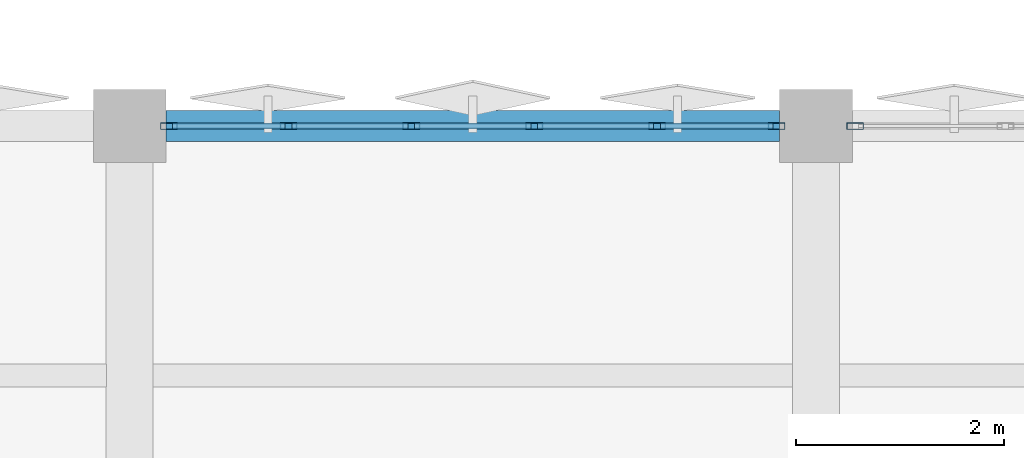
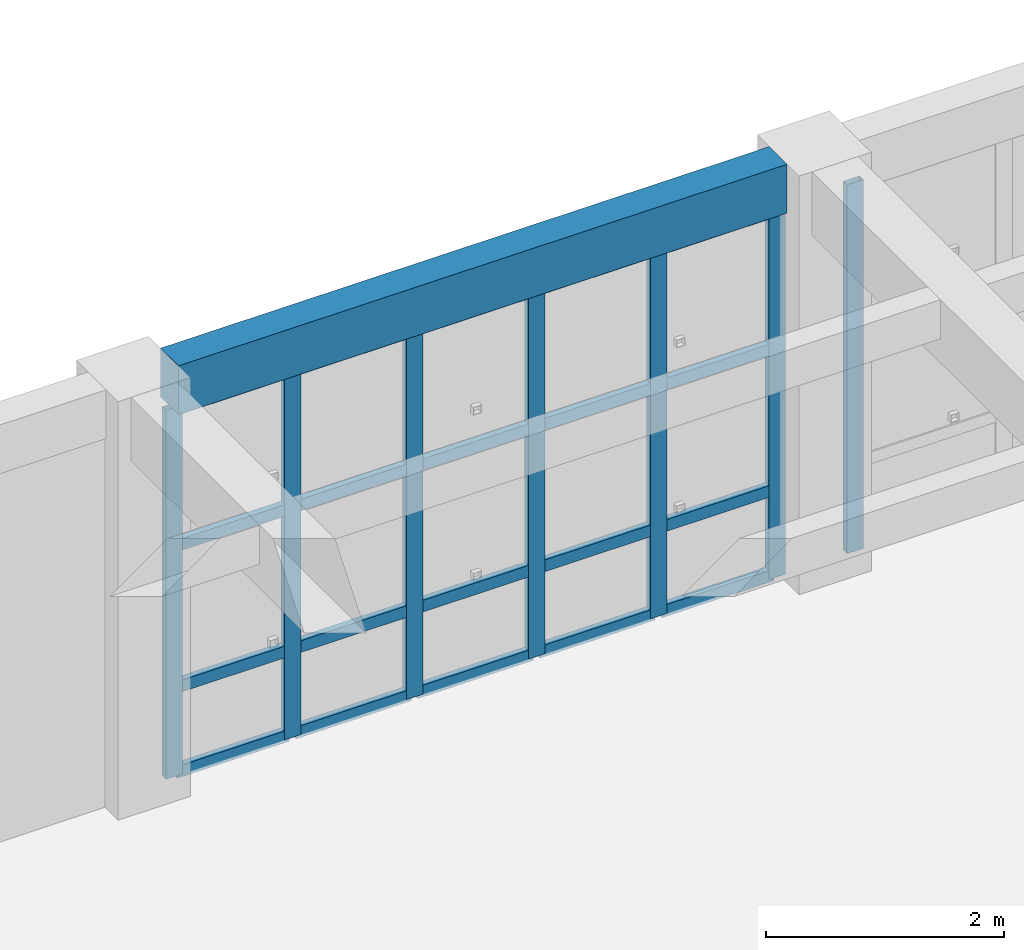
# One storey, part 44 of 80: 27 members, 1 beam, 2 elements without a shape of their own.
"""IFC4 building model written with IfcOpenShell, lengths in metres."""

from ifc_helpers import new_model, si_unit, direction, frame, origin, origin_2d, place, context, subcontext, project, spatial, rectangle, hollow_rectangle, extrude, material, layer, layer_set, material_profile, profile_set, type_object, element, aggregate, save


model = new_model("IFC4")

# Units and contexts
model_context = context("Model", 3, precision=1e-05, world=origin(), true_north=direction((0.0, 1.0)))
body_context = subcontext(model_context, "Body", "Model", "MODEL_VIEW")
ifc_project = project(units=[si_unit("LENGTHUNIT", "METRE"), si_unit("AREAUNIT", "SQUARE_METRE"), si_unit("VOLUMEUNIT", "CUBIC_METRE"), si_unit("PLANEANGLEUNIT", "RADIAN"), si_unit("MASSUNIT", "GRAM", prefix="KILO")], contexts=[model_context])

# Site, building, storey
site_placement = place(None, origin())
site = spatial("IfcSite", under=ifc_project, at=site_placement, CompositionType="ELEMENT")
building_placement = place(site_placement, origin())
building = spatial("IfcBuilding", under=site, at=building_placement, Name="Kharisveld Research Institute", CompositionType="ELEMENT")
storey_placement = place(building_placement, frame((0.0, 0.0, 5.10009765625)))
storey = spatial("IfcBuildingStorey", under=building, at=storey_placement, Name="L01", CompositionType="ELEMENT", Elevation=5.10009765625)

# Curtain wall, members
ifc_material_1 = material(Name="Thermally Broken Aluminium Curtain Wall", Category="aluminium")
ifc_layer_1 = layer(ifc_material_1, 0.159912109375)
ifc_layer_set_1 = layer_set([ifc_layer_1], Name="CW_SYS_01")
curtain_wall_type_1 = type_object("IfcCurtainWallType", Name="CW_SYS_01", PredefinedType="NOTDEFINED", material=ifc_layer_set_1)
curtain_wall_1_placement = place(storey_placement, origin())
curtain_wall_1 = element("IfcCurtainWall", 1, at=curtain_wall_1_placement, inside=storey, type_object=curtain_wall_type_1, Name="CW:V2:L01:N1", PredefinedType="NOTDEFINED")
ifc_material_2 = material(Name="Anodised Aluminium AW-6063-T6", Category="aluminium")
ifc_material_profile_1 = material_profile(ifc_material_2, hollow_rectangle(XDim=0.06494140625, YDim=0.159912109375, WallThickness=0.00390625, at=origin_2d()))
ifc_profile_set_1 = profile_set([ifc_material_profile_1], Name="Anodised Aluminium AW-6063-T6")
member_type_1 = type_object("IfcMemberType", Name="CW_MUL_160", PredefinedType="MULLION", material=ifc_profile_set_1)
member_1_placement = place(storey_placement, frame((121.577392578125, 60.800048828125, 0.0), z_axis=(0.0, 0.0, 1.0), x_axis=(0.0, 1.0, 0.0)))
member_1 = element("IfcMember", 2, at=member_1_placement, type_object=member_type_1, Name="CW-01 mullion 1", PredefinedType="MULLION", context=body_context, shape_type="SweptSolid", body=[
    extrude(hollow_rectangle(XDim=0.06494140625, YDim=0.159912109375, WallThickness=0.00390625, at=origin_2d()), origin(), (0.0, 0.0, 1.0), 3.77978515625),
])
member_2_placement = place(storey_placement, frame((122.72705078125, 60.800048828125, 0.0), z_axis=(0.0, 0.0, 1.0), x_axis=(0.0, 1.0, 0.0)))
member_2 = element("IfcMember", 3, at=member_2_placement, type_object=member_type_1, Name="CW-01 mullion 2", PredefinedType="MULLION", context=body_context, shape_type="SweptSolid", body=[
    extrude(hollow_rectangle(XDim=0.06494140625, YDim=0.159912109375, WallThickness=0.00390625, at=origin_2d()), origin(), (0.0, 0.0, 1.0), 3.77978515625),
])
member_3_placement = place(storey_placement, frame((123.908935546875, 60.800048828125, 0.0), z_axis=(0.0, 0.0, 1.0), x_axis=(0.0, 1.0, 0.0)))
member_3 = element("IfcMember", 4, at=member_3_placement, type_object=member_type_1, Name="CW-01 mullion 3", PredefinedType="MULLION", context=body_context, shape_type="SweptSolid", body=[
    extrude(hollow_rectangle(XDim=0.06494140625, YDim=0.159912109375, WallThickness=0.00390625, at=origin_2d()), origin(), (0.0, 0.0, 1.0), 3.77978515625),
])
member_4_placement = place(storey_placement, frame((125.091064453125, 60.800048828125, 0.0), z_axis=(0.0, 0.0, 1.0), x_axis=(0.0, 1.0, 0.0)))
member_4 = element("IfcMember", 5, at=member_4_placement, type_object=member_type_1, Name="CW-01 mullion 4", PredefinedType="MULLION", context=body_context, shape_type="SweptSolid", body=[
    extrude(hollow_rectangle(XDim=0.06494140625, YDim=0.159912109375, WallThickness=0.00390625, at=origin_2d()), origin(), (0.0, 0.0, 1.0), 3.77978515625),
])
member_5_placement = place(storey_placement, frame((126.27294921875, 60.800048828125, 0.0), z_axis=(0.0, 0.0, 1.0), x_axis=(0.0, 1.0, 0.0)))
member_5 = element("IfcMember", 6, at=member_5_placement, type_object=member_type_1, Name="CW-01 mullion 5", PredefinedType="MULLION", context=body_context, shape_type="SweptSolid", body=[
    extrude(hollow_rectangle(XDim=0.06494140625, YDim=0.159912109375, WallThickness=0.00390625, at=origin_2d()), origin(), (0.0, 0.0, 1.0), 3.77978515625),
])
member_6_placement = place(storey_placement, frame((127.422607421875, 60.800048828125, 0.0), z_axis=(0.0, 0.0, 1.0), x_axis=(0.0, 1.0, 0.0)))
member_6 = element("IfcMember", 7, at=member_6_placement, type_object=member_type_1, Name="CW-01 mullion 6", PredefinedType="MULLION", context=body_context, shape_type="SweptSolid", body=[
    extrude(hollow_rectangle(XDim=0.06494140625, YDim=0.159912109375, WallThickness=0.00390625, at=origin_2d()), origin(), (0.0, 0.0, 1.0), 3.77978515625),
])

# Curtain wall, member
ifc_material_3 = material(Name="Thermally Broken Aluminium Curtain Wall", Category="aluminium")
ifc_layer_2 = layer(ifc_material_3, 0.159912109375)
ifc_layer_set_2 = layer_set([ifc_layer_2], Name="CW_SYS_02")
curtain_wall_type_2 = type_object("IfcCurtainWallType", Name="CW_SYS_02", PredefinedType="NOTDEFINED", material=ifc_layer_set_2)
curtain_wall_2_placement = place(storey_placement, origin())
curtain_wall_2 = element("IfcCurtainWall", 8, at=curtain_wall_2_placement, inside=storey, type_object=curtain_wall_type_2, Name="CW:V2:L01:N2", PredefinedType="NOTDEFINED")
member_7_placement = place(storey_placement, frame((128.177490234375, 60.800048828125, 0.0), z_axis=(0.0, 0.0, 1.0), x_axis=(0.0, 1.0, 0.0)))
member_7 = element("IfcMember", 9, at=member_7_placement, type_object=member_type_1, Name="CW-02 mullion 1", PredefinedType="MULLION", context=body_context, shape_type="SweptSolid", body=[
    extrude(hollow_rectangle(XDim=0.06494140625, YDim=0.159912109375, WallThickness=0.00390625, at=origin_2d()), origin(), (0.0, 0.0, 1.0), 3.77978515625),
])
aggregate(curtain_wall_2, [member_7])

# Member
ifc_material_4 = material(Name="Anodised Aluminium AW-6063-T6", Category="aluminium")
ifc_material_profile_2 = material_profile(ifc_material_4, hollow_rectangle(XDim=0.06005859375, YDim=0.1201171875, WallThickness=0.00390625, at=origin_2d()))
ifc_profile_set_2 = profile_set([ifc_material_profile_2], Name="Anodised Aluminium AW-6063-T6")
member_type_2 = type_object("IfcMemberType", Name="CW_TRN_120", PredefinedType="USERDEFINED", material=ifc_profile_set_2)
member_8_placement = place(storey_placement, frame((121.610107421875, 60.800048828125, 0.02978515625), z_axis=(1.0, 0.0, 0.0), x_axis=(0.0, 1.0, 0.0)))
member_8 = element("IfcMember", 10, at=member_8_placement, type_object=member_type_2, Name="CW-01 transom 1.1", ObjectType="TRANSOM", PredefinedType="USERDEFINED", context=body_context, shape_type="SweptSolid", body=[
    extrude(hollow_rectangle(XDim=0.06005859375, YDim=0.1201171875, WallThickness=0.00390625, at=origin_2d()), origin(), (0.0, 0.0, 1.0), 1.08447265625),
])

member_9_placement = place(storey_placement, frame((121.610107421875, 60.800048828125, 0.89990234375), z_axis=(1.0, 0.0, 0.0), x_axis=(0.0, 1.0, 0.0)))
member_9 = element("IfcMember", 11, at=member_9_placement, type_object=member_type_2, Name="CW-01 transom 1.2", ObjectType="TRANSOM", PredefinedType="USERDEFINED", context=body_context, shape_type="SweptSolid", body=[
    extrude(hollow_rectangle(XDim=0.06005859375, YDim=0.1201171875, WallThickness=0.00390625, at=origin_2d()), origin(), (0.0, 0.0, 1.0), 1.08447265625),
])

member_10_placement = place(storey_placement, frame((121.610107421875, 60.800048828125, 2.349853515625), z_axis=(1.0, 0.0, 0.0), x_axis=(0.0, 1.0, 0.0)))
member_10 = element("IfcMember", 12, at=member_10_placement, type_object=member_type_2, Name="CW-01 transom 1.3", ObjectType="TRANSOM", PredefinedType="USERDEFINED", context=body_context, shape_type="SweptSolid", body=[
    extrude(hollow_rectangle(XDim=0.06005859375, YDim=0.1201171875, WallThickness=0.00390625, at=origin_2d()), origin(), (0.0, 0.0, 1.0), 1.08447265625),
])

member_11_placement = place(storey_placement, frame((121.610107421875, 60.800048828125, 3.75), z_axis=(1.0, 0.0, 0.0), x_axis=(0.0, 1.0, 0.0)))
member_11 = element("IfcMember", 13, at=member_11_placement, type_object=member_type_2, Name="CW-01 transom 1.4", ObjectType="TRANSOM", PredefinedType="USERDEFINED", context=body_context, shape_type="SweptSolid", body=[
    extrude(hollow_rectangle(XDim=0.06005859375, YDim=0.1201171875, WallThickness=0.00390625, at=origin_2d()), origin(), (0.0, 0.0, 1.0), 1.08447265625),
])

member_12_placement = place(storey_placement, frame((122.759521484375, 60.800048828125, 0.02978515625), z_axis=(1.0, 0.0, 0.0), x_axis=(0.0, 1.0, 0.0)))
member_12 = element("IfcMember", 14, at=member_12_placement, type_object=member_type_2, Name="CW-01 transom 2.1", ObjectType="TRANSOM", PredefinedType="USERDEFINED", context=body_context, shape_type="SweptSolid", body=[
    extrude(hollow_rectangle(XDim=0.06005859375, YDim=0.1201171875, WallThickness=0.00390625, at=origin_2d()), origin(), (0.0, 0.0, 1.0), 1.116943359375),
])

member_13_placement = place(storey_placement, frame((122.759521484375, 60.800048828125, 0.89990234375), z_axis=(1.0, 0.0, 0.0), x_axis=(0.0, 1.0, 0.0)))
member_13 = element("IfcMember", 15, at=member_13_placement, type_object=member_type_2, Name="CW-01 transom 2.2", ObjectType="TRANSOM", PredefinedType="USERDEFINED", context=body_context, shape_type="SweptSolid", body=[
    extrude(hollow_rectangle(XDim=0.06005859375, YDim=0.1201171875, WallThickness=0.00390625, at=origin_2d()), origin(), (0.0, 0.0, 1.0), 1.116943359375),
])

member_14_placement = place(storey_placement, frame((122.759521484375, 60.800048828125, 2.349853515625), z_axis=(1.0, 0.0, 0.0), x_axis=(0.0, 1.0, 0.0)))
member_14 = element("IfcMember", 16, at=member_14_placement, type_object=member_type_2, Name="CW-01 transom 2.3", ObjectType="TRANSOM", PredefinedType="USERDEFINED", context=body_context, shape_type="SweptSolid", body=[
    extrude(hollow_rectangle(XDim=0.06005859375, YDim=0.1201171875, WallThickness=0.00390625, at=origin_2d()), origin(), (0.0, 0.0, 1.0), 1.116943359375),
])

member_15_placement = place(storey_placement, frame((122.759521484375, 60.800048828125, 3.75), z_axis=(1.0, 0.0, 0.0), x_axis=(0.0, 1.0, 0.0)))
member_15 = element("IfcMember", 17, at=member_15_placement, type_object=member_type_2, Name="CW-01 transom 2.4", ObjectType="TRANSOM", PredefinedType="USERDEFINED", context=body_context, shape_type="SweptSolid", body=[
    extrude(hollow_rectangle(XDim=0.06005859375, YDim=0.1201171875, WallThickness=0.00390625, at=origin_2d()), origin(), (0.0, 0.0, 1.0), 1.116943359375),
])

member_16_placement = place(storey_placement, frame((123.94140625, 60.800048828125, 0.02978515625), z_axis=(1.0, 0.0, 0.0), x_axis=(0.0, 1.0, 0.0)))
member_16 = element("IfcMember", 18, at=member_16_placement, type_object=member_type_2, Name="CW-01 transom 3.1", ObjectType="TRANSOM", PredefinedType="USERDEFINED", context=body_context, shape_type="SweptSolid", body=[
    extrude(hollow_rectangle(XDim=0.06005859375, YDim=0.1201171875, WallThickness=0.00390625, at=origin_2d()), origin(), (0.0, 0.0, 1.0), 1.1171875),
])

member_17_placement = place(storey_placement, frame((123.94140625, 60.800048828125, 0.89990234375), z_axis=(1.0, 0.0, 0.0), x_axis=(0.0, 1.0, 0.0)))
member_17 = element("IfcMember", 19, at=member_17_placement, type_object=member_type_2, Name="CW-01 transom 3.2", ObjectType="TRANSOM", PredefinedType="USERDEFINED", context=body_context, shape_type="SweptSolid", body=[
    extrude(hollow_rectangle(XDim=0.06005859375, YDim=0.1201171875, WallThickness=0.00390625, at=origin_2d()), origin(), (0.0, 0.0, 1.0), 1.1171875),
])

member_18_placement = place(storey_placement, frame((123.94140625, 60.800048828125, 2.349853515625), z_axis=(1.0, 0.0, 0.0), x_axis=(0.0, 1.0, 0.0)))
member_18 = element("IfcMember", 20, at=member_18_placement, type_object=member_type_2, Name="CW-01 transom 3.3", ObjectType="TRANSOM", PredefinedType="USERDEFINED", context=body_context, shape_type="SweptSolid", body=[
    extrude(hollow_rectangle(XDim=0.06005859375, YDim=0.1201171875, WallThickness=0.00390625, at=origin_2d()), origin(), (0.0, 0.0, 1.0), 1.1171875),
])

member_19_placement = place(storey_placement, frame((123.94140625, 60.800048828125, 3.75), z_axis=(1.0, 0.0, 0.0), x_axis=(0.0, 1.0, 0.0)))
member_19 = element("IfcMember", 21, at=member_19_placement, type_object=member_type_2, Name="CW-01 transom 3.4", ObjectType="TRANSOM", PredefinedType="USERDEFINED", context=body_context, shape_type="SweptSolid", body=[
    extrude(hollow_rectangle(XDim=0.06005859375, YDim=0.1201171875, WallThickness=0.00390625, at=origin_2d()), origin(), (0.0, 0.0, 1.0), 1.1171875),
])

member_20_placement = place(storey_placement, frame((125.12353515625, 60.800048828125, 0.02978515625), z_axis=(1.0, 0.0, 0.0), x_axis=(0.0, 1.0, 0.0)))
member_20 = element("IfcMember", 22, at=member_20_placement, type_object=member_type_2, Name="CW-01 transom 4.1", ObjectType="TRANSOM", PredefinedType="USERDEFINED", context=body_context, shape_type="SweptSolid", body=[
    extrude(hollow_rectangle(XDim=0.06005859375, YDim=0.1201171875, WallThickness=0.00390625, at=origin_2d()), origin(), (0.0, 0.0, 1.0), 1.116943359375),
])

member_21_placement = place(storey_placement, frame((125.12353515625, 60.800048828125, 0.89990234375), z_axis=(1.0, 0.0, 0.0), x_axis=(0.0, 1.0, 0.0)))
member_21 = element("IfcMember", 23, at=member_21_placement, type_object=member_type_2, Name="CW-01 transom 4.2", ObjectType="TRANSOM", PredefinedType="USERDEFINED", context=body_context, shape_type="SweptSolid", body=[
    extrude(hollow_rectangle(XDim=0.06005859375, YDim=0.1201171875, WallThickness=0.00390625, at=origin_2d()), origin(), (0.0, 0.0, 1.0), 1.116943359375),
])

member_22_placement = place(storey_placement, frame((125.12353515625, 60.800048828125, 2.349853515625), z_axis=(1.0, 0.0, 0.0), x_axis=(0.0, 1.0, 0.0)))
member_22 = element("IfcMember", 24, at=member_22_placement, type_object=member_type_2, Name="CW-01 transom 4.3", ObjectType="TRANSOM", PredefinedType="USERDEFINED", context=body_context, shape_type="SweptSolid", body=[
    extrude(hollow_rectangle(XDim=0.06005859375, YDim=0.1201171875, WallThickness=0.00390625, at=origin_2d()), origin(), (0.0, 0.0, 1.0), 1.116943359375),
])

member_23_placement = place(storey_placement, frame((125.12353515625, 60.800048828125, 3.75), z_axis=(1.0, 0.0, 0.0), x_axis=(0.0, 1.0, 0.0)))
member_23 = element("IfcMember", 25, at=member_23_placement, type_object=member_type_2, Name="CW-01 transom 4.4", ObjectType="TRANSOM", PredefinedType="USERDEFINED", context=body_context, shape_type="SweptSolid", body=[
    extrude(hollow_rectangle(XDim=0.06005859375, YDim=0.1201171875, WallThickness=0.00390625, at=origin_2d()), origin(), (0.0, 0.0, 1.0), 1.116943359375),
])

member_24_placement = place(storey_placement, frame((126.305419921875, 60.800048828125, 0.02978515625), z_axis=(1.0, 0.0, 0.0), x_axis=(0.0, 1.0, 0.0)))
member_24 = element("IfcMember", 26, at=member_24_placement, type_object=member_type_2, Name="CW-01 transom 5.1", ObjectType="TRANSOM", PredefinedType="USERDEFINED", context=body_context, shape_type="SweptSolid", body=[
    extrude(hollow_rectangle(XDim=0.06005859375, YDim=0.1201171875, WallThickness=0.00390625, at=origin_2d()), origin(), (0.0, 0.0, 1.0), 1.08447265625),
])

member_25_placement = place(storey_placement, frame((126.305419921875, 60.800048828125, 0.89990234375), z_axis=(1.0, 0.0, 0.0), x_axis=(0.0, 1.0, 0.0)))
member_25 = element("IfcMember", 27, at=member_25_placement, type_object=member_type_2, Name="CW-01 transom 5.2", ObjectType="TRANSOM", PredefinedType="USERDEFINED", context=body_context, shape_type="SweptSolid", body=[
    extrude(hollow_rectangle(XDim=0.06005859375, YDim=0.1201171875, WallThickness=0.00390625, at=origin_2d()), origin(), (0.0, 0.0, 1.0), 1.08447265625),
])

member_26_placement = place(storey_placement, frame((126.305419921875, 60.800048828125, 2.349853515625), z_axis=(1.0, 0.0, 0.0), x_axis=(0.0, 1.0, 0.0)))
member_26 = element("IfcMember", 28, at=member_26_placement, type_object=member_type_2, Name="CW-01 transom 5.3", ObjectType="TRANSOM", PredefinedType="USERDEFINED", context=body_context, shape_type="SweptSolid", body=[
    extrude(hollow_rectangle(XDim=0.06005859375, YDim=0.1201171875, WallThickness=0.00390625, at=origin_2d()), origin(), (0.0, 0.0, 1.0), 1.08447265625),
])

member_27_placement = place(storey_placement, frame((126.305419921875, 60.800048828125, 3.75), z_axis=(1.0, 0.0, 0.0), x_axis=(0.0, 1.0, 0.0)))
member_27 = element("IfcMember", 29, at=member_27_placement, type_object=member_type_2, Name="CW-01 transom 5.4", ObjectType="TRANSOM", PredefinedType="USERDEFINED", context=body_context, shape_type="SweptSolid", body=[
    extrude(hollow_rectangle(XDim=0.06005859375, YDim=0.1201171875, WallThickness=0.00390625, at=origin_2d()), origin(), (0.0, 0.0, 1.0), 1.08447265625),
])

aggregate(curtain_wall_1, [member_1, member_2, member_3, member_4, member_5, member_6, member_8, member_9, member_10, member_11, member_12, member_13, member_14, member_15, member_16, member_17, member_18, member_19, member_20, member_21, member_22, member_23, member_24, member_25, member_26, member_27])

# Beam
ifc_material_5 = material(Name="Concrete C40/50", Category="concrete")
ifc_material_profile_3 = material_profile(ifc_material_5, rectangle(XDim=0.300048828125, YDim=0.5, at=origin_2d()))
ifc_profile_set_3 = profile_set([ifc_material_profile_3], Name="Concrete C40/50")
beam_type = type_object("IfcBeamType", Name="SP_RC_300x500", PredefinedType="SPANDREL", material=ifc_profile_set_3)
beam_placement = place(storey_placement, frame((121.550048828125, 60.800048828125, 4.039794921875), z_axis=(1.0, 0.0, 0.0), x_axis=(0.0, 1.0, 0.0)))
element("IfcBeam", 30, at=beam_placement, inside=storey, type_object=beam_type, Name="BM:V2:L01:U1_3", PredefinedType="SPANDREL", context=body_context, shape_type="SweptSolid", body=[
    extrude(rectangle(XDim=0.300048828125, YDim=0.5, at=origin_2d()), origin(), (0.0, 0.0, 1.0), 5.89990234375),
])

save(model, "model.ifc")
